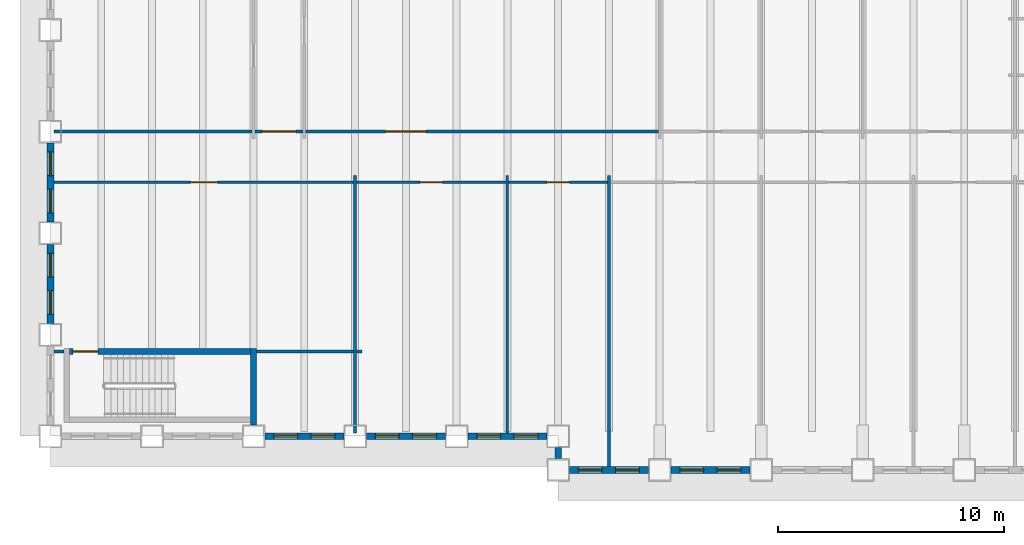
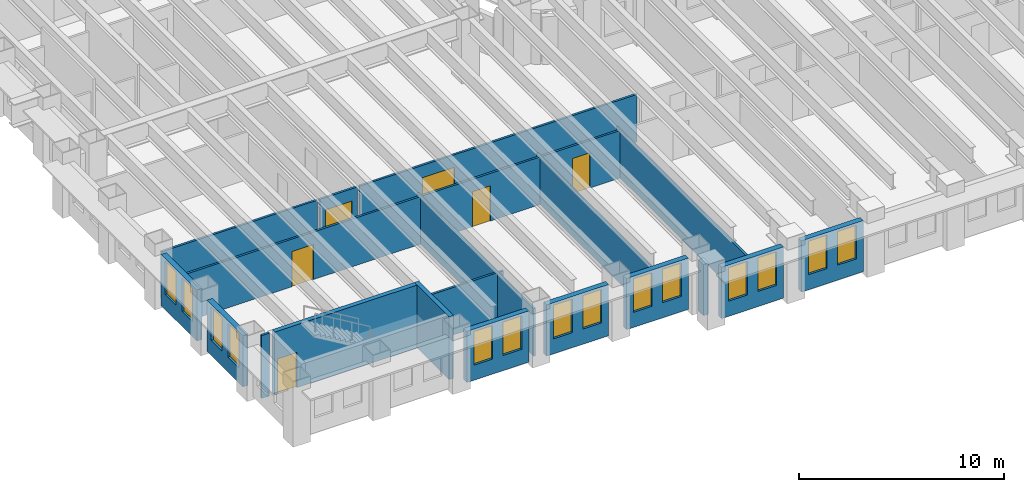
# One storey, part 3 of 16: 22 walls, 14 windows, 6 doors, 20 openings.
"""IFC4 building model written with IfcOpenShell, lengths in metres."""

from ifc_helpers import new_model, si_unit, direction, frame, frame_2d, origin, place, context, subcontext, project, spatial, rectangle, extrude, material, layer, layer_set, type_object, element, fill, save


model = new_model("IFC4")

# Units and contexts
model_context = context("Model", 3, precision=1e-05, world=origin(), true_north=direction((0.0, 1.0)))
body_context = subcontext(model_context, "Body", "Model", "MODEL_VIEW")
ifc_project = project(units=[si_unit("LENGTHUNIT", "METRE"), si_unit("AREAUNIT", "SQUARE_METRE"), si_unit("VOLUMEUNIT", "CUBIC_METRE"), si_unit("PLANEANGLEUNIT", "RADIAN"), si_unit("MASSUNIT", "GRAM", prefix="KILO")], contexts=[model_context])

# Site, building, storey
site_placement = place(None, origin())
site = spatial("IfcSite", under=ifc_project, at=site_placement, CompositionType="ELEMENT")
building_placement = place(site_placement, origin())
building = spatial("IfcBuilding", under=site, at=building_placement, Name="Sennacour Bend Tower", CompositionType="ELEMENT")
storey_placement = place(building_placement, frame((0.0, 0.0, 127.0)))
storey = spatial("IfcBuildingStorey", under=building, at=storey_placement, Name="L29", CompositionType="ELEMENT", Elevation=127.0)

# Walls
ifc_material_1 = material(Name="Plasterboard partition on steel studs", Category="steel")
ifc_layer_1 = layer(ifc_material_1, 0.1201171875, Name="Plasterboard partition on steel studs", Category="steel")
ifc_layer_set_1 = layer_set([ifc_layer_1], Name="Plasterboard partition on steel studs")
wall_type_1 = type_object("IfcWallType", Name="Partition 120", PredefinedType="PARTITIONING", material=ifc_layer_set_1)
for number, where, z_axis, x_axis, name in (
    (1, (13.5, 0.14990234375, 0.0), (0.0, 0.0, 1.0), (0.0, 1.0, 0.0), "P-L29-W015a"),
    (2, (20.25, 0.14990234375, 0.0), (0.0, 0.0, 1.0), (0.0, 1.0, 0.0), "P-L29-W023a"),
):
    element("IfcWall", number, at=place(storey_placement, frame(where, z_axis=z_axis, x_axis=x_axis)), inside=storey, type_object=wall_type_1, Name=name, PredefinedType="PARTITIONING", context=body_context, shape_type="SweptSolid", body=[
        extrude(rectangle(XDim=11.400146484375, YDim=0.1201171875, at=frame_2d((5.7001953125, 0.0))), origin(), (0.0, 0.0, 1.0), 2.837890625),
    ])
wall_1_placement = place(storey_placement, frame((24.75, -1.35009765625, 0.0), z_axis=(0.0, 0.0, 1.0), x_axis=(0.0, 1.0, 0.0)))
element("IfcWall", 3, at=wall_1_placement, inside=storey, type_object=wall_type_1, Name="P-L29-W025a", PredefinedType="PARTITIONING", context=body_context, shape_type="SweptSolid", body=[
    extrude(rectangle(XDim=12.900146484375, YDim=0.1201171875, at=frame_2d((6.4501953125, 0.0))), origin(), (0.0, 0.0, 1.0), 2.837890625),
])
wall_2_placement = place(storey_placement, frame((0.14990234375, 3.75, 0.0), z_axis=(0.0, 0.0, 1.0), x_axis=(1.0, 0.0, 0.0)))
element("IfcWall", 4, at=wall_2_placement, inside=storey, type_object=wall_type_1, Name="P-L29-W051a", PredefinedType="PARTITIONING", context=body_context, shape_type="SweptSolid", body=[
    extrude(rectangle(XDim=0.4501953125, YDim=0.1201171875, at=frame_2d((0.22509765625, 0.0))), origin(), (0.0, 0.0, 1.0), 3.75),
])
wall_3_placement = place(storey_placement, frame((9.125, 3.75, 0.0), z_axis=(0.0, 0.0, 1.0), x_axis=(1.0, 0.0, 0.0)))
element("IfcWall", 5, at=wall_3_placement, inside=storey, type_object=wall_type_1, Name="P-L29-W053aa", PredefinedType="PARTITIONING", context=body_context, shape_type="SweptSolid", body=[
    extrude(rectangle(XDim=4.31494140625, YDim=0.1201171875, at=frame_2d((2.157470703125, 0.0))), origin(), (0.0, 0.0, 1.0), 2.837890625),
])
wall_4_placement = place(storey_placement, frame((13.56005859375, 3.75, 0.0), z_axis=(0.0, 0.0, 1.0), x_axis=(1.0, 0.0, 0.0)))
element("IfcWall", 6, at=wall_4_placement, inside=storey, type_object=wall_type_1, Name="P-L29-W053ab", PredefinedType="PARTITIONING", context=body_context, shape_type="SweptSolid", body=[
    extrude(rectangle(XDim=0.239990234375, YDim=0.1201171875, at=frame_2d((0.1201171875, 0.0))), origin(), (0.0, 0.0, 1.0), 2.837890625),
])

# Wall, opening, door
wall_5_placement = place(storey_placement, frame((13.56005859375, 11.25, 0.0), z_axis=(0.0, 0.0, 1.0), x_axis=(1.0, 0.0, 0.0)))
wall_5 = element("IfcWall", 7, at=wall_5_placement, inside=storey, type_object=wall_type_1, Name="P-L29-W058ab", PredefinedType="PARTITIONING", context=body_context, shape_type="SweptSolid", body=[
    extrude(rectangle(XDim=6.6298828125, YDim=0.1201171875, at=frame_2d((3.31494140625, 0.0))), origin(), (0.0, 0.0, 1.0), 2.837890625),
])
opening_1_placement = place(wall_5_placement, frame((2.81494140625, 0.0, 0.0)))
opening_1 = element("IfcOpeningElement", 8, at=opening_1_placement, cuts=wall_5, Name="Opening OD2", PredefinedType="OPENING", context=body_context, shape_type="SweptSolid", body=[
    extrude(rectangle(XDim=1.0, YDim=2.10009765625, at=frame_2d((0.5, 1.050048828125))), frame((0.0, 0.070068359375, 0.0), z_axis=(0.0, -1.0, 0.0), x_axis=(1.0, 0.0, 0.0)), (0.0, 0.0, 1.0), 0.14013671875),
])
ifc_material_2 = material(Name="Timber", Category="wood")
door_type_1 = type_object("IfcDoorType", Name="DR-OFFICE-1000", OperationType="NOTDEFINED", PredefinedType="DOOR", material=ifc_material_2)
door_1_placement = place(opening_1_placement, origin())
door_1 = element("IfcDoor", 9, at=door_1_placement, inside=storey, type_object=door_type_1, Name="Door", OperationType="SINGLE_SWING_LEFT", OverallHeight=2.10009765625, OverallWidth=1.0, PredefinedType="DOOR", context=body_context, shape_type="SweptSolid", body=[
    extrude(rectangle(XDim=1.0, YDim=2.10009765625, at=frame_2d((0.5, 1.050048828125))), frame((0.0, 0.02490234375, 0.0), z_axis=(0.0, -1.0, 0.0), x_axis=(1.0, 0.0, 0.0)), (0.0, 0.0, 1.0), 0.050048828125),
])
fill(opening_1, door_1)

wall_6_placement = place(storey_placement, frame((20.31005859375, 11.25, 0.0), z_axis=(0.0, 0.0, 1.0), x_axis=(1.0, 0.0, 0.0)))
wall_6 = element("IfcWall", 10, at=wall_6_placement, inside=storey, type_object=wall_type_1, Name="P-L29-W058ac", PredefinedType="PARTITIONING", context=body_context, shape_type="SweptSolid", body=[
    extrude(rectangle(XDim=4.3798828125, YDim=0.1201171875, at=frame_2d((2.18994140625, 0.0))), origin(), (0.0, 0.0, 1.0), 2.837890625),
])
opening_2_placement = place(wall_6_placement, frame((1.68994140625, 0.0, 0.0)))
opening_2 = element("IfcOpeningElement", 11, at=opening_2_placement, cuts=wall_6, Name="Opening OD2", PredefinedType="OPENING", context=body_context, shape_type="SweptSolid", body=[
    extrude(rectangle(XDim=1.0, YDim=2.10009765625, at=frame_2d((0.5, 1.050048828125))), frame((0.0, 0.070068359375, 0.0), z_axis=(0.0, -1.0, 0.0), x_axis=(1.0, 0.0, 0.0)), (0.0, 0.0, 1.0), 0.14013671875),
])
door_2_placement = place(opening_2_placement, origin())
door_2 = element("IfcDoor", 12, at=door_2_placement, inside=storey, type_object=door_type_1, Name="Door", OperationType="SINGLE_SWING_LEFT", OverallHeight=2.10009765625, OverallWidth=1.0, PredefinedType="DOOR", context=body_context, shape_type="SweptSolid", body=[
    extrude(rectangle(XDim=1.0, YDim=2.10009765625, at=frame_2d((0.5, 1.050048828125))), frame((0.0, 0.02490234375, 0.0), z_axis=(0.0, -1.0, 0.0), x_axis=(1.0, 0.0, 0.0)), (0.0, 0.0, 1.0), 0.050048828125),
])
fill(opening_2, door_2)

# Wall
wall_7_placement = place(storey_placement, frame((0.14990234375, 13.5, 0.0), z_axis=(0.0, 0.0, 1.0), x_axis=(1.0, 0.0, 0.0)))
element("IfcWall", 13, at=wall_7_placement, inside=storey, type_object=wall_type_1, Name="P-L29-W060aa", PredefinedType="PARTITIONING", context=body_context, shape_type="SweptSolid", body=[
    extrude(rectangle(XDim=8.7900390625, YDim=0.1201171875, at=frame_2d((4.39501953125, 0.0))), origin(), (0.0, 0.0, 1.0), 2.837890625),
])

# Wall, opening, door
wall_8_placement = place(storey_placement, frame((11.31005859375, 13.5, 0.0), z_axis=(0.0, 0.0, 1.0), x_axis=(1.0, 0.0, 0.0)))
wall_8 = element("IfcWall", 14, at=wall_8_placement, inside=storey, type_object=wall_type_1, Name="P-L29-W060ac", PredefinedType="PARTITIONING", context=body_context, shape_type="SweptSolid", body=[
    extrude(rectangle(XDim=15.6298828125, YDim=0.1201171875, at=frame_2d((7.81494140625, 0.0))), origin(), (0.0, 0.0, 1.0), 2.837890625),
])
opening_3_placement = place(wall_8_placement, frame((3.539794921875, 0.0, 0.0)))
opening_3 = element("IfcOpeningElement", 15, at=opening_3_placement, cuts=wall_8, Name="Opening OD3", PredefinedType="OPENING", context=body_context, shape_type="SweptSolid", body=[
    extrude(rectangle(XDim=1.800048828125, YDim=2.10009765625, at=frame_2d((0.89990234375, 1.050048828125))), frame((0.0, 0.070068359375, 0.0), z_axis=(0.0, -1.0, 0.0), x_axis=(1.0, 0.0, 0.0)), (0.0, 0.0, 1.0), 0.14013671875),
])
door_type_2 = type_object("IfcDoorType", Name="DR-OFFICE-1800", OperationType="NOTDEFINED", PredefinedType="DOOR", material=ifc_material_2)
door_3_placement = place(opening_3_placement, origin())
door_3 = element("IfcDoor", 16, at=door_3_placement, inside=storey, type_object=door_type_2, Name="Door", OperationType="DOUBLE_DOOR_SINGLE_SWING", OverallHeight=2.10009765625, OverallWidth=1.800048828125, PredefinedType="DOOR", context=body_context, shape_type="SweptSolid", body=[
    extrude(rectangle(XDim=1.800048828125, YDim=2.10009765625, at=frame_2d((0.89990234375, 1.050048828125))), frame((0.0, 0.02490234375, 0.0), z_axis=(0.0, -1.0, 0.0), x_axis=(1.0, 0.0, 0.0)), (0.0, 0.0, 1.0), 0.050048828125),
])
fill(opening_3, door_3)

ifc_layer_2 = layer(ifc_material_1, 0.1201171875, Name="Plasterboard partition on steel studs", Category="steel")
ifc_layer_set_2 = layer_set([ifc_layer_2], Name="Plasterboard partition on steel studs")
wall_type_2 = type_object("IfcWallType", Name="Partition 120 EI 30", PredefinedType="PARTITIONING", material=ifc_layer_set_2)
wall_9_placement = place(storey_placement, frame((0.14990234375, 11.25, 0.0), z_axis=(0.0, 0.0, 1.0), x_axis=(1.0, 0.0, 0.0)))
wall_9 = element("IfcWall", 17, at=wall_9_placement, inside=storey, type_object=wall_type_2, Name="P-L29-W058aa", PredefinedType="PARTITIONING", context=body_context, shape_type="SweptSolid", body=[
    extrude(rectangle(XDim=13.2900390625, YDim=0.1201171875, at=frame_2d((6.64501953125, 0.0))), origin(), (0.0, 0.0, 1.0), 2.837890625),
])
opening_4_placement = place(wall_9_placement, frame((6.05517578125, 0.0, 0.0)))
opening_4 = element("IfcOpeningElement", 18, at=opening_4_placement, cuts=wall_9, Name="Opening KD2", PredefinedType="OPENING", context=body_context, shape_type="SweptSolid", body=[
    extrude(rectangle(XDim=1.199951171875, YDim=2.10009765625, at=frame_2d((0.60009765625, 1.050048828125))), frame((0.0, 0.070068359375, 0.0), z_axis=(0.0, -1.0, 0.0), x_axis=(1.0, 0.0, 0.0)), (0.0, 0.0, 1.0), 0.14013671875),
])
ifc_material_3 = material(Name="Painted steel", Category="steel")
door_type_3 = type_object("IfcDoorType", Name="DR-CORRIDOR-1200", OperationType="NOTDEFINED", PredefinedType="DOOR", material=ifc_material_3)
door_4_placement = place(opening_4_placement, origin())
door_4 = element("IfcDoor", 19, at=door_4_placement, inside=storey, type_object=door_type_3, Name="Door", OperationType="SINGLE_SWING_LEFT", OverallHeight=2.10009765625, OverallWidth=1.199951171875, PredefinedType="DOOR", context=body_context, shape_type="SweptSolid", body=[
    extrude(rectangle(XDim=1.199951171875, YDim=2.10009765625, at=frame_2d((0.60009765625, 1.050048828125))), frame((0.0, 0.02490234375, 0.0), z_axis=(0.0, -1.0, 0.0), x_axis=(1.0, 0.0, 0.0)), (0.0, 0.0, 1.0), 0.050048828125),
])
fill(opening_4, door_4)

wall_10_placement = place(storey_placement, frame((9.06005859375, 13.5, 0.0), z_axis=(0.0, 0.0, 1.0), x_axis=(1.0, 0.0, 0.0)))
wall_10 = element("IfcWall", 20, at=wall_10_placement, inside=storey, type_object=wall_type_2, Name="P-L29-W060ab", PredefinedType="PARTITIONING", context=body_context, shape_type="SweptSolid", body=[
    extrude(rectangle(XDim=2.1298828125, YDim=0.1201171875, at=frame_2d((1.06494140625, 0.0))), origin(), (0.0, 0.0, 1.0), 2.837890625),
])
opening_5_placement = place(wall_10_placement, frame((0.31494140625, 0.0, 0.0)))
opening_5 = element("IfcOpeningElement", 21, at=opening_5_placement, cuts=wall_10, Name="Opening KD", PredefinedType="OPENING", context=body_context, shape_type="SweptSolid", body=[
    extrude(rectangle(XDim=1.5, YDim=2.10009765625, at=frame_2d((0.75, 1.050048828125))), frame((0.0, 0.070068359375, 0.0), z_axis=(0.0, -1.0, 0.0), x_axis=(1.0, 0.0, 0.0)), (0.0, 0.0, 1.0), 0.14013671875),
])
door_type_4 = type_object("IfcDoorType", Name="DR-CORRIDOR-1500", OperationType="NOTDEFINED", PredefinedType="DOOR", material=ifc_material_3)
door_5_placement = place(opening_5_placement, origin())
door_5 = element("IfcDoor", 22, at=door_5_placement, inside=storey, type_object=door_type_4, Name="Door", OperationType="SINGLE_SWING_LEFT", OverallHeight=2.10009765625, OverallWidth=1.5, PredefinedType="DOOR", context=body_context, shape_type="SweptSolid", body=[
    extrude(rectangle(XDim=1.5, YDim=2.10009765625, at=frame_2d((0.75, 1.050048828125))), frame((0.0, 0.02490234375, 0.0), z_axis=(0.0, -1.0, 0.0), x_axis=(1.0, 0.0, 0.0)), (0.0, 0.0, 1.0), 0.050048828125),
])
fill(opening_5, door_5)

# Wall, openings, windows
ifc_material_4 = material(Name="Warm limestone cladding", Category="masonry")
ifc_layer_3 = layer(ifc_material_4, 0.050048828125, Name="Warm limestone cladding", Category="masonry")
ifc_material_5 = material(Name="Precast concrete C40/50", Category="concrete")
ifc_layer_4 = layer(ifc_material_5, 0.25, Name="Precast concrete C40/50", Category="concrete")
ifc_layer_set_3 = layer_set([ifc_layer_3, ifc_layer_4], Name="Precast concrete C40/50 with limestone cladding")
wall_type_3 = type_object("IfcWallType", Name="STONE-CLAD PRECAST SPANDREL 300", PredefinedType="STANDARD", material=ifc_layer_set_3)
wall_11_placement = place(storey_placement, frame((23.0, -1.5, 0.0), z_axis=(0.0, 0.0, 1.0), x_axis=(1.0, 0.0, 0.0)))
wall_11 = element("IfcWall", 23, at=wall_11_placement, inside=storey, type_object=wall_type_3, Name="Stone spandrel and pier wall L29 00.00", PredefinedType="STANDARD", context=body_context, shape_type="SweptSolid", body=[
    extrude(rectangle(XDim=3.5, YDim=0.300048828125, at=frame_2d((1.75, 0.0))), origin(), (0.0, 0.0, 1.0), 3.053955078125),
])
opening_6_placement = place(wall_11_placement, frame((0.39990234375, 0.0, 0.89990234375)))
opening_6 = element("IfcOpeningElement", 24, at=opening_6_placement, cuts=wall_11, Name="Opening W13", PredefinedType="OPENING", context=body_context, shape_type="SweptSolid", body=[
    extrude(rectangle(XDim=1.050048828125, YDim=2.0, at=frame_2d((0.52490234375, 1.0))), frame((0.0, 0.16015625, 0.0), z_axis=(0.0, -1.0, 0.0), x_axis=(1.0, 0.0, 0.0)), (0.0, 0.0, 1.0), 0.320068359375),
])
opening_7_placement = place(wall_11_placement, frame((2.050048828125, 0.0, 0.89990234375)))
opening_7 = element("IfcOpeningElement", 25, at=opening_7_placement, cuts=wall_11, Name="Opening W13", PredefinedType="OPENING", context=body_context, shape_type="SweptSolid", body=[
    extrude(rectangle(XDim=1.050048828125, YDim=2.0, at=frame_2d((0.52490234375, 1.0))), frame((0.0, 0.16015625, 0.0), z_axis=(0.0, -1.0, 0.0), x_axis=(1.0, 0.0, 0.0)), (0.0, 0.0, 1.0), 0.320068359375),
])
ifc_material_6 = material(Name="Clear low-emissivity glass", Category="glass")
window_type = type_object("IfcWindowType", Name="WIN-RIBBON-1050x2000", PartitioningType="SINGLE_PANEL", PredefinedType="WINDOW", material=ifc_material_6)
window_1_placement = place(opening_6_placement, origin())
window_1 = element("IfcWindow", 26, at=window_1_placement, inside=storey, type_object=window_type, Name="Ribbon window L29 00.00.0", OverallHeight=2.0, OverallWidth=1.050048828125, PartitioningType="SINGLE_PANEL", PredefinedType="WINDOW", context=body_context, shape_type="SweptSolid", body=[
    extrude(rectangle(XDim=1.050048828125, YDim=2.0, at=frame_2d((0.52490234375, 1.0))), frame((0.0, 0.030029296875, 0.0), z_axis=(0.0, -1.0, 0.0), x_axis=(1.0, 0.0, 0.0)), (0.0, 0.0, 1.0), 0.06005859375),
])
fill(opening_6, window_1)
window_2_placement = place(opening_7_placement, origin())
window_2 = element("IfcWindow", 27, at=window_2_placement, inside=storey, type_object=window_type, Name="Ribbon window L29 00.00.1", OverallHeight=2.0, OverallWidth=1.050048828125, PartitioningType="SINGLE_PANEL", PredefinedType="WINDOW", context=body_context, shape_type="SweptSolid", body=[
    extrude(rectangle(XDim=1.050048828125, YDim=2.0, at=frame_2d((0.52490234375, 1.0))), frame((0.0, 0.030029296875, 0.0), z_axis=(0.0, -1.0, 0.0), x_axis=(1.0, 0.0, 0.0)), (0.0, 0.0, 1.0), 0.06005859375),
])
fill(opening_7, window_2)

wall_12_placement = place(storey_placement, frame((27.5, -1.5, 0.0), z_axis=(0.0, 0.0, 1.0), x_axis=(1.0, 0.0, 0.0)))
wall_12 = element("IfcWall", 28, at=wall_12_placement, inside=storey, type_object=wall_type_3, Name="Stone spandrel and pier wall L29 00.01", PredefinedType="STANDARD", context=body_context, shape_type="SweptSolid", body=[
    extrude(rectangle(XDim=3.5, YDim=0.300048828125, at=frame_2d((1.75, 0.0))), origin(), (0.0, 0.0, 1.0), 3.053955078125),
])
opening_8_placement = place(wall_12_placement, frame((0.39990234375, 0.0, 0.89990234375)))
opening_8 = element("IfcOpeningElement", 29, at=opening_8_placement, cuts=wall_12, Name="Opening W13", PredefinedType="OPENING", context=body_context, shape_type="SweptSolid", body=[
    extrude(rectangle(XDim=1.050048828125, YDim=2.0, at=frame_2d((0.52490234375, 1.0))), frame((0.0, 0.16015625, 0.0), z_axis=(0.0, -1.0, 0.0), x_axis=(1.0, 0.0, 0.0)), (0.0, 0.0, 1.0), 0.320068359375),
])
opening_9_placement = place(wall_12_placement, frame((2.050048828125, 0.0, 0.89990234375)))
opening_9 = element("IfcOpeningElement", 30, at=opening_9_placement, cuts=wall_12, Name="Opening W13", PredefinedType="OPENING", context=body_context, shape_type="SweptSolid", body=[
    extrude(rectangle(XDim=1.050048828125, YDim=2.0, at=frame_2d((0.52490234375, 1.0))), frame((0.0, 0.16015625, 0.0), z_axis=(0.0, -1.0, 0.0), x_axis=(1.0, 0.0, 0.0)), (0.0, 0.0, 1.0), 0.320068359375),
])
window_3_placement = place(opening_8_placement, origin())
window_3 = element("IfcWindow", 31, at=window_3_placement, inside=storey, type_object=window_type, Name="Ribbon window L29 00.01.0", OverallHeight=2.0, OverallWidth=1.050048828125, PartitioningType="SINGLE_PANEL", PredefinedType="WINDOW", context=body_context, shape_type="SweptSolid", body=[
    extrude(rectangle(XDim=1.050048828125, YDim=2.0, at=frame_2d((0.52490234375, 1.0))), frame((0.0, 0.030029296875, 0.0), z_axis=(0.0, -1.0, 0.0), x_axis=(1.0, 0.0, 0.0)), (0.0, 0.0, 1.0), 0.06005859375),
])
fill(opening_8, window_3)
window_4_placement = place(opening_9_placement, origin())
window_4 = element("IfcWindow", 32, at=window_4_placement, inside=storey, type_object=window_type, Name="Ribbon window L29 00.01.1", OverallHeight=2.0, OverallWidth=1.050048828125, PartitioningType="SINGLE_PANEL", PredefinedType="WINDOW", context=body_context, shape_type="SweptSolid", body=[
    extrude(rectangle(XDim=1.050048828125, YDim=2.0, at=frame_2d((0.52490234375, 1.0))), frame((0.0, 0.030029296875, 0.0), z_axis=(0.0, -1.0, 0.0), x_axis=(1.0, 0.0, 0.0)), (0.0, 0.0, 1.0), 0.06005859375),
])
fill(opening_9, window_4)

wall_13_placement = place(storey_placement, frame((0.0, 13.0, 0.0), z_axis=(0.0, 0.0, 1.0), x_axis=(0.0, -1.0, 0.0)))
wall_13 = element("IfcWall", 33, at=wall_13_placement, inside=storey, type_object=wall_type_3, Name="Stone spandrel and pier wall L29 21.02", PredefinedType="STANDARD", context=body_context, shape_type="SweptSolid", body=[
    extrude(rectangle(XDim=3.5, YDim=0.300048828125, at=frame_2d((1.75, 0.0))), origin(), (0.0, 0.0, 1.0), 3.053955078125),
])
opening_10_placement = place(wall_13_placement, frame((0.39990234375, 0.0, 0.89990234375)))
opening_10 = element("IfcOpeningElement", 34, at=opening_10_placement, cuts=wall_13, Name="Opening W13", PredefinedType="OPENING", context=body_context, shape_type="SweptSolid", body=[
    extrude(rectangle(XDim=1.050048828125, YDim=2.0, at=frame_2d((0.52490234375, 1.0))), frame((0.0, 0.16015625, 0.0), z_axis=(0.0, -1.0, 0.0), x_axis=(1.0, 0.0, 0.0)), (0.0, 0.0, 1.0), 0.320068359375),
])
opening_11_placement = place(wall_13_placement, frame((2.050048828125, 0.0, 0.89990234375)))
opening_11 = element("IfcOpeningElement", 35, at=opening_11_placement, cuts=wall_13, Name="Opening W13", PredefinedType="OPENING", context=body_context, shape_type="SweptSolid", body=[
    extrude(rectangle(XDim=1.050048828125, YDim=2.0, at=frame_2d((0.52490234375, 1.0))), frame((0.0, 0.16015625, 0.0), z_axis=(0.0, -1.0, 0.0), x_axis=(1.0, 0.0, 0.0)), (0.0, 0.0, 1.0), 0.320068359375),
])
window_5_placement = place(opening_10_placement, origin())
window_5 = element("IfcWindow", 36, at=window_5_placement, inside=storey, type_object=window_type, Name="Ribbon window L29 21.02.0", OverallHeight=2.0, OverallWidth=1.050048828125, PartitioningType="SINGLE_PANEL", PredefinedType="WINDOW", context=body_context, shape_type="SweptSolid", body=[
    extrude(rectangle(XDim=1.050048828125, YDim=2.0, at=frame_2d((0.52490234375, 1.0))), frame((0.0, 0.030029296875, 0.0), z_axis=(0.0, -1.0, 0.0), x_axis=(1.0, 0.0, 0.0)), (0.0, 0.0, 1.0), 0.06005859375),
])
fill(opening_10, window_5)
window_6_placement = place(opening_11_placement, origin())
window_6 = element("IfcWindow", 37, at=window_6_placement, inside=storey, type_object=window_type, Name="Ribbon window L29 21.02.1", OverallHeight=2.0, OverallWidth=1.050048828125, PartitioningType="SINGLE_PANEL", PredefinedType="WINDOW", context=body_context, shape_type="SweptSolid", body=[
    extrude(rectangle(XDim=1.050048828125, YDim=2.0, at=frame_2d((0.52490234375, 1.0))), frame((0.0, 0.030029296875, 0.0), z_axis=(0.0, -1.0, 0.0), x_axis=(1.0, 0.0, 0.0)), (0.0, 0.0, 1.0), 0.06005859375),
])
fill(opening_11, window_6)

wall_14_placement = place(storey_placement, frame((0.0, 8.5, 0.0), z_axis=(0.0, 0.0, 1.0), x_axis=(0.0, -1.0, 0.0)))
wall_14 = element("IfcWall", 38, at=wall_14_placement, inside=storey, type_object=wall_type_3, Name="Stone spandrel and pier wall L29 21.03", PredefinedType="STANDARD", context=body_context, shape_type="SweptSolid", body=[
    extrude(rectangle(XDim=3.5, YDim=0.300048828125, at=frame_2d((1.75, 0.0))), origin(), (0.0, 0.0, 1.0), 3.053955078125),
])
opening_12_placement = place(wall_14_placement, frame((0.39990234375, 0.0, 0.89990234375)))
opening_12 = element("IfcOpeningElement", 39, at=opening_12_placement, cuts=wall_14, Name="Opening W13", PredefinedType="OPENING", context=body_context, shape_type="SweptSolid", body=[
    extrude(rectangle(XDim=1.050048828125, YDim=2.0, at=frame_2d((0.52490234375, 1.0))), frame((0.0, 0.16015625, 0.0), z_axis=(0.0, -1.0, 0.0), x_axis=(1.0, 0.0, 0.0)), (0.0, 0.0, 1.0), 0.320068359375),
])
opening_13_placement = place(wall_14_placement, frame((2.050048828125, 0.0, 0.89990234375)))
opening_13 = element("IfcOpeningElement", 40, at=opening_13_placement, cuts=wall_14, Name="Opening W13", PredefinedType="OPENING", context=body_context, shape_type="SweptSolid", body=[
    extrude(rectangle(XDim=1.050048828125, YDim=2.0, at=frame_2d((0.52490234375, 1.0))), frame((0.0, 0.16015625, 0.0), z_axis=(0.0, -1.0, 0.0), x_axis=(1.0, 0.0, 0.0)), (0.0, 0.0, 1.0), 0.320068359375),
])
window_7_placement = place(opening_12_placement, origin())
window_7 = element("IfcWindow", 41, at=window_7_placement, inside=storey, type_object=window_type, Name="Ribbon window L29 21.03.0", OverallHeight=2.0, OverallWidth=1.050048828125, PartitioningType="SINGLE_PANEL", PredefinedType="WINDOW", context=body_context, shape_type="SweptSolid", body=[
    extrude(rectangle(XDim=1.050048828125, YDim=2.0, at=frame_2d((0.52490234375, 1.0))), frame((0.0, 0.030029296875, 0.0), z_axis=(0.0, -1.0, 0.0), x_axis=(1.0, 0.0, 0.0)), (0.0, 0.0, 1.0), 0.06005859375),
])
fill(opening_12, window_7)
window_8_placement = place(opening_13_placement, origin())
window_8 = element("IfcWindow", 42, at=window_8_placement, inside=storey, type_object=window_type, Name="Ribbon window L29 21.03.1", OverallHeight=2.0, OverallWidth=1.050048828125, PartitioningType="SINGLE_PANEL", PredefinedType="WINDOW", context=body_context, shape_type="SweptSolid", body=[
    extrude(rectangle(XDim=1.050048828125, YDim=2.0, at=frame_2d((0.52490234375, 1.0))), frame((0.0, 0.030029296875, 0.0), z_axis=(0.0, -1.0, 0.0), x_axis=(1.0, 0.0, 0.0)), (0.0, 0.0, 1.0), 0.06005859375),
])
fill(opening_13, window_8)

wall_15_placement = place(storey_placement, frame((9.5, 0.0, 0.0), z_axis=(0.0, 0.0, 1.0), x_axis=(1.0, 0.0, 0.0)))
wall_15 = element("IfcWall", 43, at=wall_15_placement, inside=storey, type_object=wall_type_3, Name="Stone spandrel and pier wall L29 22.02", PredefinedType="STANDARD", context=body_context, shape_type="SweptSolid", body=[
    extrude(rectangle(XDim=3.5, YDim=0.300048828125, at=frame_2d((1.75, 0.0))), origin(), (0.0, 0.0, 1.0), 3.053955078125),
])
opening_14_placement = place(wall_15_placement, frame((0.39990234375, 0.0, 0.89990234375)))
opening_14 = element("IfcOpeningElement", 44, at=opening_14_placement, cuts=wall_15, Name="Opening W13", PredefinedType="OPENING", context=body_context, shape_type="SweptSolid", body=[
    extrude(rectangle(XDim=1.050048828125, YDim=2.0, at=frame_2d((0.52490234375, 1.0))), frame((0.0, 0.16015625, 0.0), z_axis=(0.0, -1.0, 0.0), x_axis=(1.0, 0.0, 0.0)), (0.0, 0.0, 1.0), 0.320068359375),
])
opening_15_placement = place(wall_15_placement, frame((2.050048828125, 0.0, 0.89990234375)))
opening_15 = element("IfcOpeningElement", 45, at=opening_15_placement, cuts=wall_15, Name="Opening W13", PredefinedType="OPENING", context=body_context, shape_type="SweptSolid", body=[
    extrude(rectangle(XDim=1.050048828125, YDim=2.0, at=frame_2d((0.52490234375, 1.0))), frame((0.0, 0.16015625, 0.0), z_axis=(0.0, -1.0, 0.0), x_axis=(1.0, 0.0, 0.0)), (0.0, 0.0, 1.0), 0.320068359375),
])
window_9_placement = place(opening_14_placement, origin())
window_9 = element("IfcWindow", 46, at=window_9_placement, inside=storey, type_object=window_type, Name="Ribbon window L29 22.02.0", OverallHeight=2.0, OverallWidth=1.050048828125, PartitioningType="SINGLE_PANEL", PredefinedType="WINDOW", context=body_context, shape_type="SweptSolid", body=[
    extrude(rectangle(XDim=1.050048828125, YDim=2.0, at=frame_2d((0.52490234375, 1.0))), frame((0.0, 0.030029296875, 0.0), z_axis=(0.0, -1.0, 0.0), x_axis=(1.0, 0.0, 0.0)), (0.0, 0.0, 1.0), 0.06005859375),
])
fill(opening_14, window_9)
window_10_placement = place(opening_15_placement, origin())
window_10 = element("IfcWindow", 47, at=window_10_placement, inside=storey, type_object=window_type, Name="Ribbon window L29 22.02.1", OverallHeight=2.0, OverallWidth=1.050048828125, PartitioningType="SINGLE_PANEL", PredefinedType="WINDOW", context=body_context, shape_type="SweptSolid", body=[
    extrude(rectangle(XDim=1.050048828125, YDim=2.0, at=frame_2d((0.52490234375, 1.0))), frame((0.0, 0.030029296875, 0.0), z_axis=(0.0, -1.0, 0.0), x_axis=(1.0, 0.0, 0.0)), (0.0, 0.0, 1.0), 0.06005859375),
])
fill(opening_15, window_10)

wall_16_placement = place(storey_placement, frame((14.0, 0.0, 0.0), z_axis=(0.0, 0.0, 1.0), x_axis=(1.0, 0.0, 0.0)))
wall_16 = element("IfcWall", 48, at=wall_16_placement, inside=storey, type_object=wall_type_3, Name="Stone spandrel and pier wall L29 22.03", PredefinedType="STANDARD", context=body_context, shape_type="SweptSolid", body=[
    extrude(rectangle(XDim=3.5, YDim=0.300048828125, at=frame_2d((1.75, 0.0))), origin(), (0.0, 0.0, 1.0), 3.053955078125),
])
opening_16_placement = place(wall_16_placement, frame((0.39990234375, 0.0, 0.89990234375)))
opening_16 = element("IfcOpeningElement", 49, at=opening_16_placement, cuts=wall_16, Name="Opening W13", PredefinedType="OPENING", context=body_context, shape_type="SweptSolid", body=[
    extrude(rectangle(XDim=1.050048828125, YDim=2.0, at=frame_2d((0.52490234375, 1.0))), frame((0.0, 0.16015625, 0.0), z_axis=(0.0, -1.0, 0.0), x_axis=(1.0, 0.0, 0.0)), (0.0, 0.0, 1.0), 0.320068359375),
])
opening_17_placement = place(wall_16_placement, frame((2.050048828125, 0.0, 0.89990234375)))
opening_17 = element("IfcOpeningElement", 50, at=opening_17_placement, cuts=wall_16, Name="Opening W13", PredefinedType="OPENING", context=body_context, shape_type="SweptSolid", body=[
    extrude(rectangle(XDim=1.050048828125, YDim=2.0, at=frame_2d((0.52490234375, 1.0))), frame((0.0, 0.16015625, 0.0), z_axis=(0.0, -1.0, 0.0), x_axis=(1.0, 0.0, 0.0)), (0.0, 0.0, 1.0), 0.320068359375),
])
window_11_placement = place(opening_16_placement, origin())
window_11 = element("IfcWindow", 51, at=window_11_placement, inside=storey, type_object=window_type, Name="Ribbon window L29 22.03.0", OverallHeight=2.0, OverallWidth=1.050048828125, PartitioningType="SINGLE_PANEL", PredefinedType="WINDOW", context=body_context, shape_type="SweptSolid", body=[
    extrude(rectangle(XDim=1.050048828125, YDim=2.0, at=frame_2d((0.52490234375, 1.0))), frame((0.0, 0.030029296875, 0.0), z_axis=(0.0, -1.0, 0.0), x_axis=(1.0, 0.0, 0.0)), (0.0, 0.0, 1.0), 0.06005859375),
])
fill(opening_16, window_11)
window_12_placement = place(opening_17_placement, origin())
window_12 = element("IfcWindow", 52, at=window_12_placement, inside=storey, type_object=window_type, Name="Ribbon window L29 22.03.1", OverallHeight=2.0, OverallWidth=1.050048828125, PartitioningType="SINGLE_PANEL", PredefinedType="WINDOW", context=body_context, shape_type="SweptSolid", body=[
    extrude(rectangle(XDim=1.050048828125, YDim=2.0, at=frame_2d((0.52490234375, 1.0))), frame((0.0, 0.030029296875, 0.0), z_axis=(0.0, -1.0, 0.0), x_axis=(1.0, 0.0, 0.0)), (0.0, 0.0, 1.0), 0.06005859375),
])
fill(opening_17, window_12)

wall_17_placement = place(storey_placement, frame((18.5, 0.0, 0.0), z_axis=(0.0, 0.0, 1.0), x_axis=(1.0, 0.0, 0.0)))
wall_17 = element("IfcWall", 53, at=wall_17_placement, inside=storey, type_object=wall_type_3, Name="Stone spandrel and pier wall L29 22.04", PredefinedType="STANDARD", context=body_context, shape_type="SweptSolid", body=[
    extrude(rectangle(XDim=3.5, YDim=0.300048828125, at=frame_2d((1.75, 0.0))), origin(), (0.0, 0.0, 1.0), 3.053955078125),
])
opening_18_placement = place(wall_17_placement, frame((0.39990234375, 0.0, 0.89990234375)))
opening_18 = element("IfcOpeningElement", 54, at=opening_18_placement, cuts=wall_17, Name="Opening W13", PredefinedType="OPENING", context=body_context, shape_type="SweptSolid", body=[
    extrude(rectangle(XDim=1.050048828125, YDim=2.0, at=frame_2d((0.52490234375, 1.0))), frame((0.0, 0.16015625, 0.0), z_axis=(0.0, -1.0, 0.0), x_axis=(1.0, 0.0, 0.0)), (0.0, 0.0, 1.0), 0.320068359375),
])
opening_19_placement = place(wall_17_placement, frame((2.050048828125, 0.0, 0.89990234375)))
opening_19 = element("IfcOpeningElement", 55, at=opening_19_placement, cuts=wall_17, Name="Opening W13", PredefinedType="OPENING", context=body_context, shape_type="SweptSolid", body=[
    extrude(rectangle(XDim=1.050048828125, YDim=2.0, at=frame_2d((0.52490234375, 1.0))), frame((0.0, 0.16015625, 0.0), z_axis=(0.0, -1.0, 0.0), x_axis=(1.0, 0.0, 0.0)), (0.0, 0.0, 1.0), 0.320068359375),
])
window_13_placement = place(opening_18_placement, origin())
window_13 = element("IfcWindow", 56, at=window_13_placement, inside=storey, type_object=window_type, Name="Ribbon window L29 22.04.0", OverallHeight=2.0, OverallWidth=1.050048828125, PartitioningType="SINGLE_PANEL", PredefinedType="WINDOW", context=body_context, shape_type="SweptSolid", body=[
    extrude(rectangle(XDim=1.050048828125, YDim=2.0, at=frame_2d((0.52490234375, 1.0))), frame((0.0, 0.030029296875, 0.0), z_axis=(0.0, -1.0, 0.0), x_axis=(1.0, 0.0, 0.0)), (0.0, 0.0, 1.0), 0.06005859375),
])
fill(opening_18, window_13)
window_14_placement = place(opening_19_placement, origin())
window_14 = element("IfcWindow", 57, at=window_14_placement, inside=storey, type_object=window_type, Name="Ribbon window L29 22.04.1", OverallHeight=2.0, OverallWidth=1.050048828125, PartitioningType="SINGLE_PANEL", PredefinedType="WINDOW", context=body_context, shape_type="SweptSolid", body=[
    extrude(rectangle(XDim=1.050048828125, YDim=2.0, at=frame_2d((0.52490234375, 1.0))), frame((0.0, 0.030029296875, 0.0), z_axis=(0.0, -1.0, 0.0), x_axis=(1.0, 0.0, 0.0)), (0.0, 0.0, 1.0), 0.06005859375),
])
fill(opening_19, window_14)

# Walls
wall_18_placement = place(storey_placement, frame((22.5, -0.5, 0.0), z_axis=(0.0, 0.0, 1.0), x_axis=(0.0, -1.0, 0.0)))
element("IfcWall", 58, at=wall_18_placement, inside=storey, type_object=wall_type_3, Name="Stone spandrel and pier wall L29 23.00", PredefinedType="STANDARD", context=body_context, shape_type="SweptSolid", body=[
    extrude(rectangle(XDim=0.5, YDim=0.300048828125, at=frame_2d((0.25, 0.0))), origin(), (0.0, 0.0, 1.0), 3.053955078125),
])
ifc_material_7 = material(Name="Concrete C60/75", Category="concrete")
ifc_layer_5 = layer(ifc_material_7, 0.25, Name="Concrete C60/75", Category="concrete")
ifc_layer_set_4 = layer_set([ifc_layer_5], Name="Concrete C60/75")
wall_type_4 = type_object("IfcWallType", Name="Stair wall 250", PredefinedType="SHEAR", material=ifc_layer_set_4)
wall_19_placement = place(storey_placement, frame((9.0, 0.5, 0.0), z_axis=(0.0, 0.0, 1.0), x_axis=(0.0, 1.0, 0.0)))
element("IfcWall", 59, at=wall_19_placement, inside=storey, type_object=wall_type_4, Name="P-L29-W010", PredefinedType="SHEAR", context=body_context, shape_type="SweptSolid", body=[
    extrude(rectangle(XDim=3.375, YDim=0.25, at=frame_2d((1.6875, 0.0))), origin(), (0.0, 0.0, 1.0), 3.75),
])

# Wall, opening, door
wall_20_placement = place(storey_placement, frame((0.85009765625, 3.75, 0.0), z_axis=(0.0, 0.0, 1.0), x_axis=(1.0, 0.0, 0.0)))
wall_20 = element("IfcWall", 60, at=wall_20_placement, inside=storey, type_object=wall_type_4, Name="P-L29-W052", PredefinedType="SHEAR", context=body_context, shape_type="SweptSolid", body=[
    extrude(rectangle(XDim=8.02490234375, YDim=0.25, at=frame_2d((4.012451171875, 0.0))), origin(), (0.0, 0.0, 1.0), 3.75),
])
opening_20_placement = place(wall_20_placement, frame((0.14990234375, 0.0, 0.0)))
opening_20 = element("IfcOpeningElement", 61, at=opening_20_placement, cuts=wall_20, Name="Opening SD", PredefinedType="OPENING", context=body_context, shape_type="SweptSolid", body=[
    extrude(rectangle(XDim=1.10009765625, YDim=2.10009765625, at=frame_2d((0.550048828125, 1.050048828125))), frame((0.0, 0.135009765625, 0.0), z_axis=(0.0, -1.0, 0.0), x_axis=(1.0, 0.0, 0.0)), (0.0, 0.0, 1.0), 0.27001953125),
])
door_type_5 = type_object("IfcDoorType", Name="DR-STAIR-1100", OperationType="NOTDEFINED", PredefinedType="DOOR", material=ifc_material_3)
door_6_placement = place(opening_20_placement, origin())
door_6 = element("IfcDoor", 62, at=door_6_placement, inside=storey, type_object=door_type_5, Name="Door", OperationType="SINGLE_SWING_LEFT", OverallHeight=2.10009765625, OverallWidth=1.10009765625, PredefinedType="DOOR", context=body_context, shape_type="SweptSolid", body=[
    extrude(rectangle(XDim=1.10009765625, YDim=2.10009765625, at=frame_2d((0.550048828125, 1.050048828125))), frame((0.0, 0.02490234375, 0.0), z_axis=(0.0, -1.0, 0.0), x_axis=(1.0, 0.0, 0.0)), (0.0, 0.0, 1.0), 0.050048828125),
])
fill(opening_20, door_6)

save(model, "model.ifc")
